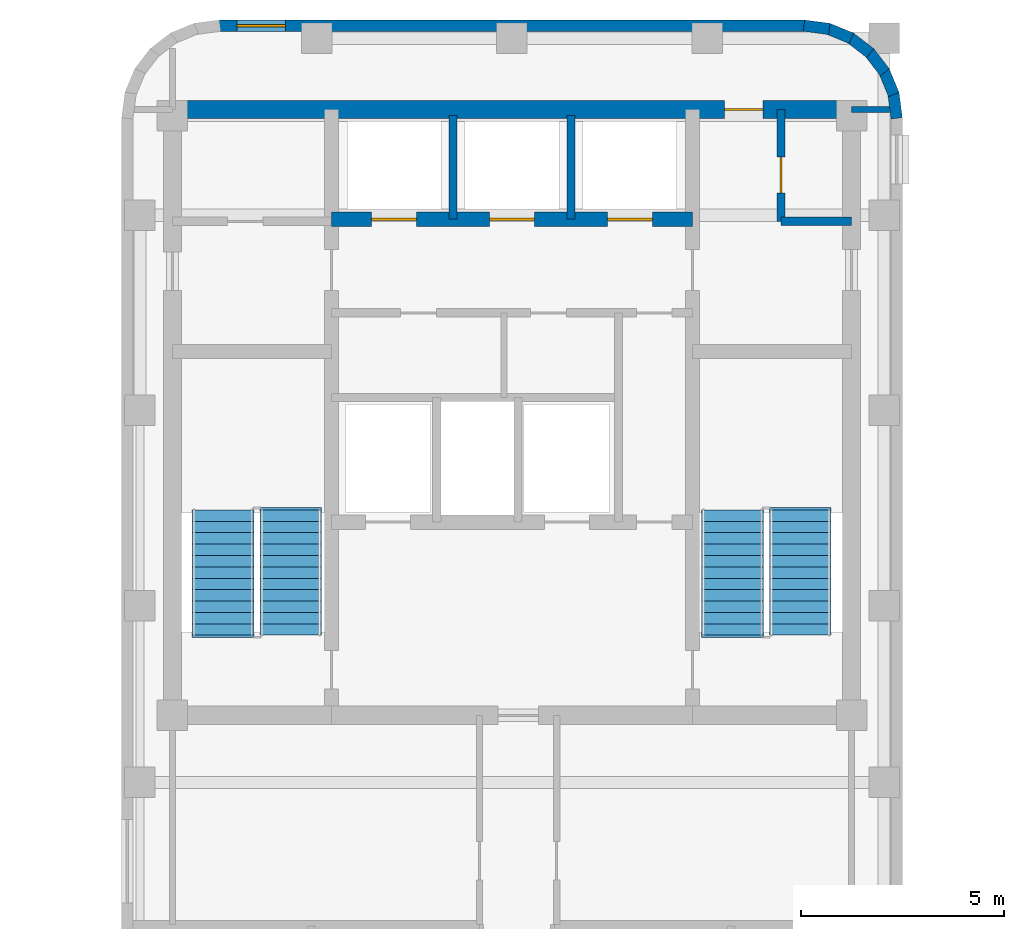
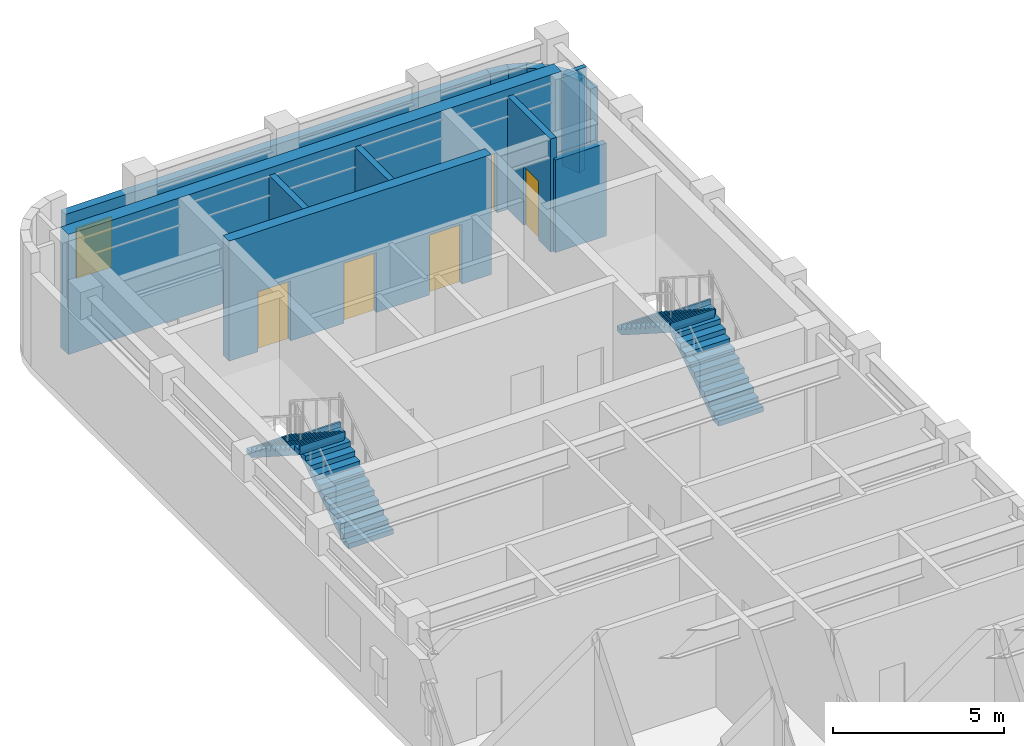
# One storey, part 5 of 6: 14 walls, 5 doors, 4 stair flights, 1 window, 6 openings, 2 elements without a shape of their own.
"""IFC4 building model written with IfcOpenShell, lengths in metres."""

from ifc_helpers import new_model, si_unit, direction, frame, frame_2d, origin, place, context, subcontext, project, spatial, polyline, rectangle, outline, extrude, material, layer, layer_set, type_object, element, fill, aggregate, save


model = new_model("IFC4")

# Units and contexts
model_context = context("Model", 3, precision=1e-05, world=origin(), true_north=direction((0.0, 1.0)))
body_context = subcontext(model_context, "Body", "Model", "MODEL_VIEW")
ifc_project = project(units=[si_unit("LENGTHUNIT", "METRE"), si_unit("AREAUNIT", "SQUARE_METRE"), si_unit("VOLUMEUNIT", "CUBIC_METRE"), si_unit("PLANEANGLEUNIT", "RADIAN"), si_unit("MASSUNIT", "GRAM", prefix="KILO")], contexts=[model_context])

# Site, building, storey
site_placement = place(None, origin())
site = spatial("IfcSite", under=ifc_project, at=site_placement, CompositionType="ELEMENT")
building_placement = place(site_placement, origin())
building = spatial("IfcBuilding", under=site, at=building_placement, Name="Orvandelia Arch Residences", CompositionType="ELEMENT")
storey_placement = place(building_placement, frame((0.0, 0.0, 252.699951171875)))
storey = spatial("IfcBuildingStorey", under=building, at=storey_placement, Name="L66", CompositionType="ELEMENT", Elevation=252.699951171875)

# Wall, openings, doors
ifc_material_1 = material(Name="Concrete C50/60", Category="concrete")
ifc_layer_1 = layer(ifc_material_1, 0.35009765625, Name="Concrete C50/60", Category="concrete")
ifc_layer_set_1 = layer_set([ifc_layer_1], Name="Concrete C50/60")
wall_type_1 = type_object("IfcWallType", Name="WL-CORE-350", PredefinedType="SHEAR", material=ifc_layer_set_1)
wall_1_placement = place(storey_placement, frame((9.9599609375, 43.10009765625, 0.0), z_axis=(0.0, 0.0, 1.0), x_axis=(1.0, 0.0, 0.0)))
wall_1 = element("IfcWall", 1, at=wall_1_placement, inside=storey, type_object=wall_type_1, Name="Core Shear Wall L66-HZ4", PredefinedType="SHEAR", context=body_context, shape_type="SweptSolid", body=[
    extrude(rectangle(XDim=8.880126953125, YDim=0.35009765625, at=frame_2d((4.43994140625, 0.0))), origin(), (0.0, 0.0, 1.0), 4.300048828125),
])
opening_1_placement = place(wall_1_placement, frame((0.989990234375, 0.0, 0.0)))
opening_1 = element("IfcOpeningElement", 2, at=opening_1_placement, cuts=wall_1, Name="Opening LD", PredefinedType="OPENING", context=body_context, shape_type="SweptSolid", body=[
    extrude(rectangle(XDim=1.10009765625, YDim=2.14990234375, at=frame_2d((0.550048828125, 1.074951171875))), frame((0.0, 0.18505859375, 0.0), z_axis=(0.0, -1.0, 0.0), x_axis=(1.0, 0.0, 0.0)), (0.0, 0.0, 1.0), 0.3701171875),
])
opening_2_placement = place(wall_1_placement, frame((3.889892578125, 0.0, 0.0)))
opening_2 = element("IfcOpeningElement", 3, at=opening_2_placement, cuts=wall_1, Name="Opening LD", PredefinedType="OPENING", context=body_context, shape_type="SweptSolid", body=[
    extrude(rectangle(XDim=1.10009765625, YDim=2.14990234375, at=frame_2d((0.550048828125, 1.074951171875))), frame((0.0, 0.18505859375, 0.0), z_axis=(0.0, -1.0, 0.0), x_axis=(1.0, 0.0, 0.0)), (0.0, 0.0, 1.0), 0.3701171875),
])
opening_3_placement = place(wall_1_placement, frame((6.7900390625, 0.0, 0.0)))
opening_3 = element("IfcOpeningElement", 4, at=opening_3_placement, cuts=wall_1, Name="Opening LD", PredefinedType="OPENING", context=body_context, shape_type="SweptSolid", body=[
    extrude(rectangle(XDim=1.10009765625, YDim=2.14990234375, at=frame_2d((0.550048828125, 1.074951171875))), frame((0.0, 0.18505859375, 0.0), z_axis=(0.0, -1.0, 0.0), x_axis=(1.0, 0.0, 0.0)), (0.0, 0.0, 1.0), 0.3701171875),
])
ifc_material_2 = material(Name="Brushed Stainless Steel Sliding Lift Door", Category="steel")
door_type_1 = type_object("IfcDoorType", Name="DR-LIFT-1100", OperationType="NOTDEFINED", PredefinedType="DOOR", material=ifc_material_2)
door_1_placement = place(opening_1_placement, origin())
door_1 = element("IfcDoor", 5, at=door_1_placement, inside=storey, type_object=door_type_1, Name="Lift Landing Door LD-PH1-L66", OperationType="SLIDING_TO_LEFT", OverallHeight=2.14990234375, OverallWidth=1.10009765625, PredefinedType="DOOR", context=body_context, shape_type="SweptSolid", body=[
    extrude(rectangle(XDim=1.10009765625, YDim=2.14990234375, at=frame_2d((0.550048828125, 1.074951171875))), frame((0.0, 0.02490234375, 0.0), z_axis=(0.0, -1.0, 0.0), x_axis=(1.0, 0.0, 0.0)), (0.0, 0.0, 1.0), 0.050048828125),
])
fill(opening_1, door_1)
door_2_placement = place(opening_2_placement, origin())
door_2 = element("IfcDoor", 6, at=door_2_placement, inside=storey, type_object=door_type_1, Name="Lift Landing Door LD-PH2-L66", OperationType="SLIDING_TO_RIGHT", OverallHeight=2.14990234375, OverallWidth=1.10009765625, PredefinedType="DOOR", context=body_context, shape_type="SweptSolid", body=[
    extrude(rectangle(XDim=1.10009765625, YDim=2.14990234375, at=frame_2d((0.550048828125, 1.074951171875))), frame((0.0, 0.02490234375, 0.0), z_axis=(0.0, -1.0, 0.0), x_axis=(1.0, 0.0, 0.0)), (0.0, 0.0, 1.0), 0.050048828125),
])
fill(opening_2, door_2)
door_3_placement = place(opening_3_placement, origin())
door_3 = element("IfcDoor", 7, at=door_3_placement, inside=storey, type_object=door_type_1, Name="Lift Landing Door LD-PH3-L66", OperationType="SLIDING_TO_LEFT", OverallHeight=2.14990234375, OverallWidth=1.10009765625, PredefinedType="DOOR", context=body_context, shape_type="SweptSolid", body=[
    extrude(rectangle(XDim=1.10009765625, YDim=2.14990234375, at=frame_2d((0.550048828125, 1.074951171875))), frame((0.0, 0.02490234375, 0.0), z_axis=(0.0, -1.0, 0.0), x_axis=(1.0, 0.0, 0.0)), (0.0, 0.0, 1.0), 0.050048828125),
])
fill(opening_3, door_3)

# Wall, opening, door
ifc_layer_2 = layer(ifc_material_1, 0.449951171875, Name="Concrete C50/60", Category="concrete")
ifc_layer_set_2 = layer_set([ifc_layer_2], Name="Concrete C50/60")
wall_type_2 = type_object("IfcWallType", Name="WL-CORE-450", PredefinedType="SHEAR", material=ifc_layer_set_2)
wall_2_placement = place(storey_placement, frame((6.050048828125, 45.800048828125, 0.0), z_axis=(0.0, 0.0, 1.0), x_axis=(1.0, 0.0, 0.0)))
wall_2 = element("IfcWall", 8, at=wall_2_placement, inside=storey, type_object=wall_type_2, Name="Core Shear Wall L66-N", PredefinedType="SHEAR", context=body_context, shape_type="SweptSolid", body=[
    extrude(rectangle(XDim=16.699951171875, YDim=0.449951171875, at=frame_2d((8.35009765625, 0.0))), origin(), (0.0, 0.0, 1.0), 4.300048828125),
])
opening_4_placement = place(wall_2_placement, frame((13.570068359375, 0.0, 0.0)))
opening_4 = element("IfcOpeningElement", 9, at=opening_4_placement, cuts=wall_2, Name="Opening D2", PredefinedType="OPENING", context=body_context, shape_type="SweptSolid", body=[
    extrude(rectangle(XDim=0.949951171875, YDim=2.14990234375, at=frame_2d((0.47509765625, 1.074951171875))), frame((0.0, 0.23486328125, 0.0), z_axis=(0.0, -1.0, 0.0), x_axis=(1.0, 0.0, 0.0)), (0.0, 0.0, 1.0), 0.469970703125),
])
ifc_material_3 = material(Name="Solid-Core Timber Interior Fire Door", Category="wood")
door_type_2 = type_object("IfcDoorType", Name="DR-APT-950", OperationType="NOTDEFINED", PredefinedType="DOOR", material=ifc_material_3)
door_4_placement = place(opening_4_placement, origin())
door_4 = element("IfcDoor", 10, at=door_4_placement, inside=storey, type_object=door_type_2, Name="North Harbour Suite Entry Door L66", OperationType="SINGLE_SWING_LEFT", OverallHeight=2.14990234375, OverallWidth=0.949951171875, PredefinedType="DOOR", context=body_context, shape_type="SweptSolid", body=[
    extrude(rectangle(XDim=0.949951171875, YDim=2.14990234375, at=frame_2d((0.47509765625, 1.074951171875))), frame((0.0, 0.02490234375, 0.0), z_axis=(0.0, -1.0, 0.0), x_axis=(1.0, 0.0, 0.0)), (0.0, 0.0, 1.0), 0.050048828125),
])
fill(opening_4, door_4)

# Wall, opening, window
ifc_material_4 = material(Name="Precast concrete C40/50", Category="concrete")
ifc_layer_3 = layer(ifc_material_4, 0.280029296875, Name="Precast concrete C40/50", Category="concrete")
ifc_layer_set_3 = layer_set([ifc_layer_3], Name="Precast concrete C40/50")
wall_type_3 = type_object("IfcWallType", Name="WL-EXT-STONE-280", PredefinedType="STANDARD", material=ifc_layer_set_3)
wall_3_placement = place(storey_placement, frame((7.199951171875, 47.860107421875, 0.0), z_axis=(0.0, 0.0, 1.0), x_axis=(1.0, 0.0, 0.0)))
wall_3 = element("IfcWall", 11, at=wall_3_placement, inside=storey, type_object=wall_type_3, Name="Coral-Limestone Precast Facade Wall L66-007", PredefinedType="STANDARD", context=body_context, shape_type="SweptSolid", body=[
    extrude(rectangle(XDim=14.400146484375, YDim=0.280029296875, at=frame_2d((7.2001953125, 0.0))), origin(), (0.0, 0.0, 1.0), 3.320068359375),
])
opening_5_placement = place(wall_3_placement, frame((0.4326171875, 0.0, 0.800048828125)))
opening_5 = element("IfcOpeningElement", 12, at=opening_5_placement, cuts=wall_3, Name="Opening W3", PredefinedType="OPENING", context=body_context, shape_type="SweptSolid", body=[
    extrude(rectangle(XDim=1.199951171875, YDim=1.800048828125, at=frame_2d((0.60009765625, 0.89990234375))), frame((0.0, 0.14990234375, 0.0), z_axis=(0.0, -1.0, 0.0), x_axis=(1.0, 0.0, 0.0)), (0.0, 0.0, 1.0), 0.300048828125),
])
ifc_material_5 = material(Name="Tempered Low-E Insulated Glazing", Category="glass")
window_type = type_object("IfcWindowType", Name="WIN-RES-1200x1800", PartitioningType="SINGLE_PANEL", PredefinedType="WINDOW", material=ifc_material_5)
window_placement = place(opening_5_placement, origin())
window = element("IfcWindow", 13, at=window_placement, inside=storey, type_object=window_type, Name="Recessed Punched Window L66-001", OverallHeight=1.800048828125, OverallWidth=1.199951171875, PartitioningType="SINGLE_PANEL", PredefinedType="WINDOW", context=body_context, shape_type="SweptSolid", body=[
    extrude(rectangle(XDim=1.199951171875, YDim=1.800048828125, at=frame_2d((0.60009765625, 0.89990234375))), frame((0.0, 0.030029296875, 0.0), z_axis=(0.0, -1.0, 0.0), x_axis=(1.0, 0.0, 0.0)), (0.0, 0.0, 1.0), 0.06005859375),
])
fill(opening_5, window)

# Walls
for number, where, z_axis, x_axis, name in (
    (14, (21.581787109375, 47.861083984375, 0.0), (0.0, 0.0, 1.0), (0.9914410257, -0.130555323746, 0.0), "Coral-Limestone Precast Facade Wall L66-008"),
    (15, (22.16748046875, 47.788818359375, 0.0), (0.0, 0.0, 1.0), (0.924031075431, -0.382317370307, 0.0), "Coral-Limestone Precast Facade Wall L66-009"),
    (16, (22.71484375, 47.5673828125, 0.0), (0.0, 0.0, 1.0), (0.793405610854, -0.608693302629, 0.0), "Coral-Limestone Precast Facade Wall L66-010"),
    (17, (23.18603515625, 47.2119140625, 0.0), (0.0, 0.0, 1.0), (0.608693302629, -0.793405610854, 0.0), "Coral-Limestone Precast Facade Wall L66-011"),
    (18, (23.54931640625, 46.746337890625, 0.0), (0.0, 0.0, 1.0), (0.382317370307, -0.924031075431, 0.0), "Coral-Limestone Precast Facade Wall L66-012"),
    (19, (23.779296875, 46.202880859375, 0.0), (0.0, 0.0, 1.0), (0.130555323746, -0.9914410257, 0.0), "Coral-Limestone Precast Facade Wall L66-013"),
):
    element("IfcWall", number, at=place(storey_placement, frame(where, z_axis=z_axis, x_axis=x_axis)), inside=storey, type_object=wall_type_3, Name=name, PredefinedType="STANDARD", context=body_context, shape_type="SweptSolid", body=[
        extrude(rectangle(XDim=0.62646484375, YDim=0.280029296875, at=frame_2d((0.313232421875, 0.0))), origin(), (0.0, 0.0, 1.0), 3.320068359375),
    ])
ifc_material_6 = material(Name="Acoustic Gypsum Stud Partition")
ifc_layer_4 = layer(ifc_material_6, 0.14990234375, Name="Acoustic Gypsum Stud Partition")
ifc_layer_set_4 = layer_set([ifc_layer_4], Name="Acoustic Gypsum Stud Partition")
wall_type_4 = type_object("IfcWallType", Name="WL-PART-150", PredefinedType="PARTITIONING", material=ifc_layer_set_4)
wall_4_placement = place(storey_placement, frame((22.75, 45.800048828125, 0.0), z_axis=(0.0, 0.0, 1.0), x_axis=(1.0, 0.0, 0.0)))
element("IfcWall", 20, at=wall_4_placement, inside=storey, type_object=wall_type_4, Name="Interior Partition Wall WL-L66-SEFLK-N", PredefinedType="PARTITIONING", context=body_context, shape_type="SweptSolid", body=[
    extrude(rectangle(XDim=0.929931640625, YDim=0.14990234375, at=frame_2d((0.46484375, 0.0))), origin(), (0.0, 0.0, 1.0), 4.0400390625),
])
ifc_material_7 = material(Name="Fire-Rated Shaft Enclosure Wall")
ifc_layer_5 = layer(ifc_material_7, 0.199951171875, Name="Fire-Rated Shaft Enclosure Wall")
ifc_layer_set_5 = layer_set([ifc_layer_5], Name="Fire-Rated Shaft Enclosure Wall")
wall_type_5 = type_object("IfcWallType", Name="WL-SHAFT-200", PredefinedType="POLYGONAL", material=ifc_layer_set_5)
wall_5_placement = place(storey_placement, frame((21.02001953125, 43.050048828125, 0.0), z_axis=(0.0, 0.0, 1.0), x_axis=(1.0, 0.0, 0.0)))
element("IfcWall", 21, at=wall_5_placement, inside=storey, type_object=wall_type_5, Name="Interior Partition Wall WL-L66-HLE-N", PredefinedType="POLYGONAL", context=body_context, shape_type="SweptSolid", body=[
    extrude(rectangle(XDim=1.72998046875, YDim=0.199951171875, at=frame_2d((0.864990234375, 0.0))), origin(), (0.0, 0.0, 1.0), 3.320068359375),
])

# Wall, opening, door
wall_6_placement = place(storey_placement, frame((21.02001953125, 43.050048828125, 0.0), z_axis=(0.0, 0.0, 1.0), x_axis=(0.0, 1.0, 0.0)))
wall_6 = element("IfcWall", 22, at=wall_6_placement, inside=storey, type_object=wall_type_5, Name="Interior Partition Wall WL-L66-HLE-W21", PredefinedType="POLYGONAL", context=body_context, shape_type="SweptSolid", body=[
    extrude(rectangle(XDim=2.75, YDim=0.199951171875, at=frame_2d((1.375, 0.0))), origin(), (0.0, 0.0, 1.0), 4.0400390625),
])
opening_6_placement = place(wall_6_placement, frame((0.699951171875, 0.0, 0.0)))
opening_6 = element("IfcOpeningElement", 23, at=opening_6_placement, cuts=wall_6, Name="Opening D5", PredefinedType="OPENING", context=body_context, shape_type="SweptSolid", body=[
    extrude(rectangle(XDim=0.8798828125, YDim=2.10009765625, at=frame_2d((0.43994140625, 1.050048828125))), frame((0.0, 0.10986328125, 0.0), z_axis=(0.0, -1.0, 0.0), x_axis=(1.0, 0.0, 0.0)), (0.0, 0.0, 1.0), 0.219970703125),
])
ifc_material_8 = material(Name="Painted Galvanised Steel Service Door", Category="steel")
door_type_3 = type_object("IfcDoorType", Name="DR-SRV-880", OperationType="NOTDEFINED", PredefinedType="DOOR", material=ifc_material_8)
door_5_placement = place(opening_6_placement, origin())
door_5 = element("IfcDoor", 24, at=door_5_placement, inside=storey, type_object=door_type_3, Name="DR-L66-CSB1", OperationType="SINGLE_SWING_LEFT", OverallHeight=2.10009765625, OverallWidth=0.8798828125, PredefinedType="DOOR", context=body_context, shape_type="SweptSolid", body=[
    extrude(rectangle(XDim=0.8798828125, YDim=2.10009765625, at=frame_2d((0.43994140625, 1.050048828125))), frame((0.0, 0.02490234375, 0.0), z_axis=(0.0, -1.0, 0.0), x_axis=(1.0, 0.0, 0.0)), (0.0, 0.0, 1.0), 0.050048828125),
])
fill(opening_6, door_5)

# Walls
for number, where, z_axis, x_axis, name in (
    (25, (12.949951171875, 43.10009765625, 0.0), (0.0, 0.0, 1.0), (0.0, 1.0, 0.0), "Interior Partition Wall WL-L66-PHD1"),
    (26, (15.85009765625, 43.10009765625, 0.0), (0.0, 0.0, 1.0), (0.0, 1.0, 0.0), "Interior Partition Wall WL-L66-PHD2"),
):
    element("IfcWall", number, at=place(storey_placement, frame(where, z_axis=z_axis, x_axis=x_axis)), inside=storey, type_object=wall_type_5, Name=name, PredefinedType="POLYGONAL", context=body_context, shape_type="SweptSolid", body=[
        extrude(rectangle(XDim=2.5498046875, YDim=0.199951171875, at=frame_2d((1.27490234375, 0.0))), origin(), (0.0, 0.0, 1.0), 4.0400390625),
    ])

# Stair, stair flights
ifc_material_9 = material(Name="Concrete C40/50", Category="concrete")
stair_type = type_object("IfcStairType", Name="STAIR-RC-DOGLEG", PredefinedType="HALF_TURN_STAIR", material=ifc_material_9)
stair_1_placement = place(storey_placement, origin())
stair_1 = element("IfcStair", 27, at=stair_1_placement, inside=storey, type_object=stair_type, Name="L66 Protected Exit Stair ST-1", PredefinedType="HALF_TURN_STAIR")
stair_flight_type = type_object("IfcStairFlightType", Name="STFLT-RC-1520", PredefinedType="STRAIGHT", material=ifc_material_9)
stair_flight_1_placement = place(storey_placement, frame((8.9599609375, 32.8701171875, 0.0), z_axis=(0.0, 0.0, 1.0), x_axis=(0.0, 1.0, 0.0)))
stair_flight_1 = element("IfcStairFlight", 28, at=stair_flight_1_placement, type_object=stair_flight_type, Name="ST-1 flight 1", NumberOfRisers=12, NumberOfTreads=11, PredefinedType="STRAIGHT", RiserHeight=0.179166667, TreadLength=0.28, context=body_context, shape_type="SweptSolid", body=[
    extrude(outline(polyline([(0.0, 0.0), (0.0, 0.17919921875), (0.280029296875, 0.17919921875), (0.280029296875, 0.3583984375), (0.56005859375, 0.3583984375), (0.56005859375, 0.53759765625), (0.840087890625, 0.53759765625), (0.840087890625, 0.716552734375), (1.1201171875, 0.716552734375), (1.1201171875, 0.895751953125), (1.39990234375, 0.895751953125), (1.39990234375, 1.074951171875), (1.679931640625, 1.074951171875), (1.679931640625, 1.254150390625), (1.9599609375, 1.254150390625), (1.9599609375, 1.433349609375), (2.239990234375, 1.433349609375), (2.239990234375, 1.612548828125), (2.52001953125, 1.612548828125), (2.52001953125, 1.791748046875), (2.800048828125, 1.791748046875), (2.800048828125, 1.970947265625), (3.080078125, 1.970947265625), (3.080078125, 2.14990234375), (3.139892578125, 2.14990234375), (3.139892578125, 1.969970703125), (3.080078125, 1.79296875), (0.278076171875, 0.0), (0.0, 0.0)])), frame((0.0, 0.760009765625, 0.0), z_axis=(0.0, -1.0, 0.0), x_axis=(1.0, 0.0, 0.0)), (0.0, 0.0, 1.0), 1.52001953125),
])
stair_flight_2_placement = place(storey_placement, frame((7.2900390625, 35.949951171875, 2.150146484375), z_axis=(0.0, 0.0, 1.0), x_axis=(0.0, -1.0, 0.0)))
stair_flight_2 = element("IfcStairFlight", 29, at=stair_flight_2_placement, type_object=stair_flight_type, Name="ST-1 flight 2", NumberOfRisers=12, NumberOfTreads=11, PredefinedType="STRAIGHT", RiserHeight=0.179166667, TreadLength=0.28, context=body_context, shape_type="SweptSolid", body=[
    extrude(outline(polyline([(0.0, 0.0), (0.0, 0.17919921875), (0.280029296875, 0.17919921875), (0.280029296875, 0.3583984375), (0.56005859375, 0.3583984375), (0.56005859375, 0.53759765625), (0.840087890625, 0.53759765625), (0.840087890625, 0.716552734375), (1.1201171875, 0.716552734375), (1.1201171875, 0.895751953125), (1.39990234375, 0.895751953125), (1.39990234375, 1.074951171875), (1.679931640625, 1.074951171875), (1.679931640625, 1.254150390625), (1.9599609375, 1.254150390625), (1.9599609375, 1.433349609375), (2.239990234375, 1.433349609375), (2.239990234375, 1.612548828125), (2.52001953125, 1.612548828125), (2.52001953125, 1.791748046875), (2.800048828125, 1.791748046875), (2.800048828125, 1.970947265625), (3.080078125, 1.970947265625), (3.080078125, 2.14990234375), (3.139892578125, 2.14990234375), (3.139892578125, 1.969970703125), (3.080078125, 1.79296875), (0.278076171875, 0.0), (0.0, 0.0)])), frame((0.0, 0.760009765625, 0.0), z_axis=(0.0, -1.0, 0.0), x_axis=(1.0, 0.0, 0.0)), (0.0, 0.0, 1.0), 1.52001953125),
])
aggregate(stair_1, [stair_flight_1, stair_flight_2])

stair_2_placement = place(storey_placement, origin())
stair_2 = element("IfcStair", 30, at=stair_2_placement, inside=storey, type_object=stair_type, Name="L66 Protected Exit Stair ST-2", PredefinedType="HALF_TURN_STAIR")
stair_flight_3_placement = place(storey_placement, frame((21.489990234375, 32.8701171875, 0.0), z_axis=(0.0, 0.0, 1.0), x_axis=(0.0, 1.0, 0.0)))
stair_flight_3 = element("IfcStairFlight", 31, at=stair_flight_3_placement, type_object=stair_flight_type, Name="ST-2 flight 1", NumberOfRisers=12, NumberOfTreads=11, PredefinedType="STRAIGHT", RiserHeight=0.179166667, TreadLength=0.28, context=body_context, shape_type="SweptSolid", body=[
    extrude(outline(polyline([(0.0, 0.0), (0.0, 0.17919921875), (0.280029296875, 0.17919921875), (0.280029296875, 0.3583984375), (0.56005859375, 0.3583984375), (0.56005859375, 0.53759765625), (0.840087890625, 0.53759765625), (0.840087890625, 0.716552734375), (1.1201171875, 0.716552734375), (1.1201171875, 0.895751953125), (1.39990234375, 0.895751953125), (1.39990234375, 1.074951171875), (1.679931640625, 1.074951171875), (1.679931640625, 1.254150390625), (1.9599609375, 1.254150390625), (1.9599609375, 1.433349609375), (2.239990234375, 1.433349609375), (2.239990234375, 1.612548828125), (2.52001953125, 1.612548828125), (2.52001953125, 1.791748046875), (2.800048828125, 1.791748046875), (2.800048828125, 1.970947265625), (3.080078125, 1.970947265625), (3.080078125, 2.14990234375), (3.139892578125, 2.14990234375), (3.139892578125, 1.969970703125), (3.080078125, 1.79296875), (0.278076171875, 0.0), (0.0, 0.0)])), frame((0.0, 0.760009765625, 0.0), z_axis=(0.0, -1.0, 0.0), x_axis=(1.0, 0.0, 0.0)), (0.0, 0.0, 1.0), 1.52001953125),
])
stair_flight_4_placement = place(storey_placement, frame((19.820068359375, 35.949951171875, 2.150146484375), z_axis=(0.0, 0.0, 1.0), x_axis=(0.0, -1.0, 0.0)))
stair_flight_4 = element("IfcStairFlight", 32, at=stair_flight_4_placement, type_object=stair_flight_type, Name="ST-2 flight 2", NumberOfRisers=12, NumberOfTreads=11, PredefinedType="STRAIGHT", RiserHeight=0.179166667, TreadLength=0.28, context=body_context, shape_type="SweptSolid", body=[
    extrude(outline(polyline([(0.0, 0.0), (0.0, 0.17919921875), (0.280029296875, 0.17919921875), (0.280029296875, 0.3583984375), (0.56005859375, 0.3583984375), (0.56005859375, 0.53759765625), (0.840087890625, 0.53759765625), (0.840087890625, 0.716552734375), (1.1201171875, 0.716552734375), (1.1201171875, 0.895751953125), (1.39990234375, 0.895751953125), (1.39990234375, 1.074951171875), (1.679931640625, 1.074951171875), (1.679931640625, 1.254150390625), (1.9599609375, 1.254150390625), (1.9599609375, 1.433349609375), (2.239990234375, 1.433349609375), (2.239990234375, 1.612548828125), (2.52001953125, 1.612548828125), (2.52001953125, 1.791748046875), (2.800048828125, 1.791748046875), (2.800048828125, 1.970947265625), (3.080078125, 1.970947265625), (3.080078125, 2.14990234375), (3.139892578125, 2.14990234375), (3.139892578125, 1.969970703125), (3.080078125, 1.79296875), (0.278076171875, 0.0), (0.0, 0.0)])), frame((0.0, 0.760009765625, 0.0), z_axis=(0.0, -1.0, 0.0), x_axis=(1.0, 0.0, 0.0)), (0.0, 0.0, 1.0), 1.52001953125),
])
aggregate(stair_2, [stair_flight_3, stair_flight_4])

save(model, "model.ifc")
